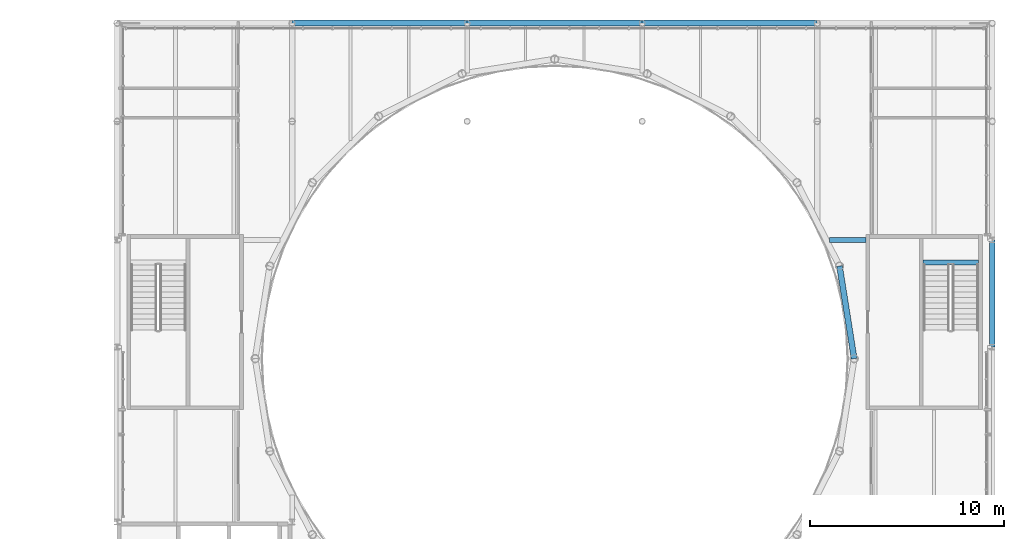
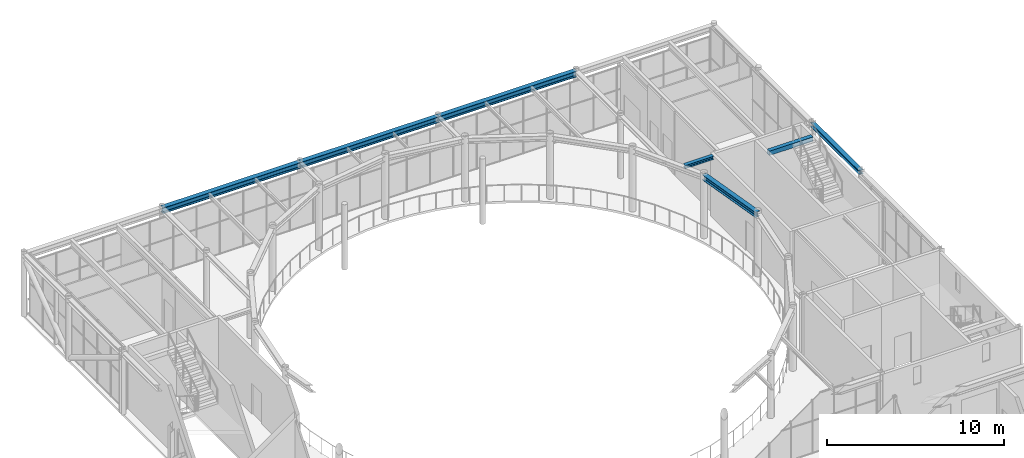
# One storey, part 42 of 70: 7 beams.
"""IFC4 building model written with IfcOpenShell, lengths in metres."""

import ifcopenshell
import ifcopenshell.guid

model = None  # the IFC model being written
_history = None  # IfcOwnerHistory: only IFC2X3 demands one
_inside = {}  # id of a spatial element -> (the spatial element, [elements in it])
_under = {}  # id of a project, library or spatial element -> (it, [spatial elements below it])
_declared = {}  # id of a project -> (the project, [libraries it declares])
_typed = {}  # id of a type object -> (the type object, [elements of that type])
_made_of = {}  # id of a material, layer set ... -> (it, [elements and type objects made of it])


def new_model(schema):
    """Start an empty IFC model of exactly this schema.

    Asked for "IFC4X3", IfcOpenShell would pick the latest addendum, in which some entities
    have other attributes; the version numbers below select the first issue.
    IFC2X3 requires an IfcOwnerHistory on every rooted entity: one is made here for all.
    """
    global model, _history
    if schema == "IFC4X3":
        model = ifcopenshell.file(schema_version=(4, 3, 0, 0))
    else:
        model = ifcopenshell.file(schema=schema)
    _inside.clear()
    _under.clear()
    _declared.clear()
    _typed.clear()
    _made_of.clear()
    _history = None
    if model.schema == "IFC2X3":
        org = make("IfcOrganization", Name="unknown")
        user = make(
            "IfcPersonAndOrganization",
            ThePerson=make("IfcPerson", FamilyName="unknown"),
            TheOrganization=org,
        )
        app = make(
            "IfcApplication",
            ApplicationDeveloper=org,
            Version="unknown",
            ApplicationFullName="unknown",
            ApplicationIdentifier="unknown",
        )
        _history = make(
            "IfcOwnerHistory",
            OwningUser=user,
            OwningApplication=app,
            ChangeAction="ADDED",
            CreationDate=0,
        )
    return model


def make(cls, **values):
    """One entity of the class cls with the attributes given. An attribute that is None is left unset."""
    return model.create_entity(
        cls, **{name: value for name, value in values.items() if value is not None}
    )


def rooted(cls, **values):
    """An entity with a GlobalId (a new one), such as an element, a storey or a relation."""
    return make(cls, GlobalId=ifcopenshell.guid.new(), OwnerHistory=_history, **values)


def si_unit(unit_type, name, prefix=None):
    """IfcSIUnit, for example si_unit("LENGTHUNIT", "METRE", prefix="MILLI")."""
    return make("IfcSIUnit", UnitType=unit_type, Prefix=prefix, Name=name)


def assignment(units):
    """IfcUnitAssignment: the units of a project."""
    return None if units is None else make("IfcUnitAssignment", Units=units)


def point(xyz):
    """IfcCartesianPoint."""
    return None if xyz is None else make("IfcCartesianPoint", Coordinates=xyz)


def direction(xyz):
    """IfcDirection."""
    return None if xyz is None else make("IfcDirection", DirectionRatios=xyz)


def frame(location, z_axis=None, x_axis=None):
    """IfcAxis2Placement3D, a coordinate frame: its origin and axes. An axis left out is left unset."""
    return make(
        "IfcAxis2Placement3D",
        Location=point(location),
        Axis=direction(z_axis),
        RefDirection=direction(x_axis),
    )


def frame_2d(location, x_axis=None):
    """IfcAxis2Placement2D, a coordinate frame in the plane: its origin and x axis."""
    return make(
        "IfcAxis2Placement2D", Location=point(location), RefDirection=direction(x_axis)
    )


def origin():
    """The frame at (0, 0, 0) with its axes left unset."""
    return frame((0.0, 0.0, 0.0))


def origin_2d():
    """The frame at (0, 0) in the plane with its x axis left unset."""
    return frame_2d((0.0, 0.0))


def place(relative_to, where):
    """IfcLocalPlacement: puts the frame where relative to a parent placement (None: the world)."""
    return make(
        "IfcLocalPlacement", PlacementRelTo=relative_to, RelativePlacement=where
    )


def context(
    kind, dimensions, precision=None, world=None, true_north=None, identifier=None
):
    """IfcGeometricRepresentationContext, for example the 3D "Model" context."""
    return make(
        "IfcGeometricRepresentationContext",
        ContextIdentifier=identifier,
        ContextType=kind,
        CoordinateSpaceDimension=dimensions,
        Precision=precision,
        WorldCoordinateSystem=world,
        TrueNorth=true_north,
    )


def subcontext(parent, identifier, kind, view, scale=None):
    """IfcGeometricRepresentationSubContext, for example "Body" below "Model"."""
    return make(
        "IfcGeometricRepresentationSubContext",
        ContextIdentifier=identifier,
        ContextType=kind,
        ParentContext=parent,
        TargetScale=scale,
        TargetView=view,
    )


def project(units=None, contexts=None):
    """IfcProject with its units and contexts."""
    return rooted(
        "IfcProject",
        Name="project",
        RepresentationContexts=contexts,
        UnitsInContext=assignment(units),
    )


def spatial(cls, under=None, at=None, **own):
    """A site, building, storey or space (cls), placed at a placement, below another one or the project."""
    s = rooted(cls, ObjectPlacement=at, **own)
    if under is not None:
        _under.setdefault(under.id(), (under, []))[1].append(s)
    return s


def profile(cls, at=None, kind="AREA", **sizes):
    """A parametric profile (cls). Its sizes go by their IFC names, for example OverallWidth=200.0."""
    return make(cls, ProfileType=kind, Position=at, **sizes)


def rectangle(**sizes):
    """IfcRectangleProfileDef."""
    return profile("IfcRectangleProfileDef", **sizes)


def i_section(**sizes):
    """IfcIShapeProfileDef."""
    return profile("IfcIShapeProfileDef", **sizes)


def extrude(swept, where, along, depth):
    """IfcExtrudedAreaSolid: the profile swept, set in the frame where, extruded along a direction by depth."""
    return make(
        "IfcExtrudedAreaSolid",
        SweptArea=swept,
        Position=where,
        ExtrudedDirection=direction(along),
        Depth=depth,
    )


def shape(context_of_items, identifier, shape_type, items):
    """IfcShapeRepresentation: the items that make up one representation, for example the "Body"."""
    return make(
        "IfcShapeRepresentation",
        ContextOfItems=context_of_items,
        RepresentationIdentifier=identifier,
        RepresentationType=shape_type,
        Items=items,
    )


def material(Name=None, Category=None):
    """IfcMaterial."""
    return make("IfcMaterial", Name=Name, Category=Category)


def material_profile(
    of_material, cross_section, Name=None, Category=None, Priority=None
):
    """IfcMaterialProfile: a cross section and its material."""
    return make(
        "IfcMaterialProfile",
        Name=Name,
        Material=of_material,
        Profile=cross_section,
        Priority=Priority,
        Category=Category,
    )


def profile_set(profiles, Name=None, composite=None):
    """IfcMaterialProfileSet."""
    return make(
        "IfcMaterialProfileSet",
        Name=Name,
        MaterialProfiles=profiles,
        CompositeProfile=composite,
    )


def made_of(thing, what):
    """Note that an element or type object is made of a material, layer set ...; save() writes the relation."""
    if what is not None:
        _made_of.setdefault(what.id(), (what, []))[1].append(thing)
    return thing


def type_object(cls, material=None, **own):
    """A type object (cls), such as IfcWallType, which elements share."""
    return made_of(rooted(cls, **own), material)


def element(
    cls,
    number,
    at=None,
    inside=None,
    cuts=None,
    type_object=None,
    material=None,
    context=None,
    identifier="Body",
    shape_type=None,
    held_by="IfcProductDefinitionShape",
    body=None,
    shapes=None,
    **own,
):
    """One element of the class cls, such as IfcWall. Its Tag is "e" and its number.

    at: its placement. inside: the storey or other place that contains it. cuts: it is an
    opening in that element (IfcRelVoidsElement). A single representation is given by context,
    identifier, shape_type and body (its items); several are given by shapes. held_by: the class
    of the entity that holds the representations. save() writes the other relations.
    """
    e = rooted(cls, Tag="e%d" % number, ObjectPlacement=at, **own)
    if body is not None:
        shapes = [shape(context, identifier, shape_type, body)]
    if shapes is not None:
        e.Representation = make(held_by, Representations=shapes)
    if inside is not None:
        _inside.setdefault(inside.id(), (inside, []))[1].append(e)
    if cuts is not None:
        rooted(
            "IfcRelVoidsElement", RelatingBuildingElement=cuts, RelatedOpeningElement=e
        )
    if type_object is not None:
        _typed.setdefault(type_object.id(), (type_object, []))[1].append(e)
    return made_of(e, material)


def aggregate(whole, parts):
    """IfcRelAggregates: a whole, such as a stair, and the parts it consists of."""
    return rooted("IfcRelAggregates", RelatingObject=whole, RelatedObjects=parts)


def save(model, path):
    """Write the relations noted so far, then the file.

    IfcRelAggregates (storeys below a building ...), IfcRelContainedInSpatialStructure (elements
    in a storey), IfcRelDefinesByType, IfcRelAssociatesMaterial and IfcRelDeclares: one each for
    every whole, place, type object, material and project.
    """
    for whole, parts in _under.values():
        aggregate(whole, parts)
    for where, things in _inside.values():
        rooted(
            "IfcRelContainedInSpatialStructure",
            RelatedElements=things,
            RelatingStructure=where,
        )
    for kind, things in _typed.values():
        rooted("IfcRelDefinesByType", RelatedObjects=things, RelatingType=kind)
    for what, things in _made_of.values():
        rooted("IfcRelAssociatesMaterial", RelatedObjects=things, RelatingMaterial=what)
    for by, libraries in _declared.values():
        rooted("IfcRelDeclares", RelatingContext=by, RelatedDefinitions=libraries)
    model.write(path)


model = new_model("IFC4")

# Units and contexts
model_context = context("Model", 3, precision=1e-05, world=origin(), true_north=direction((0.0, 1.0)))
body_context = subcontext(model_context, "Body", "Model", "MODEL_VIEW")
ifc_project = project(units=[si_unit("LENGTHUNIT", "METRE"), si_unit("AREAUNIT", "SQUARE_METRE"), si_unit("VOLUMEUNIT", "CUBIC_METRE"), si_unit("PLANEANGLEUNIT", "RADIAN"), si_unit("MASSUNIT", "GRAM", prefix="KILO")], contexts=[model_context])

# Site, building, storey
site_placement = place(None, origin())
site = spatial("IfcSite", under=ifc_project, at=site_placement, CompositionType="ELEMENT")
building_placement = place(site_placement, origin())
building = spatial("IfcBuilding", under=site, at=building_placement, Name="Kallimachos Central Library", CompositionType="ELEMENT")
storey_placement = place(building_placement, frame((0.0, 0.0, 18.89990234375)))
storey = spatial("IfcBuildingStorey", under=building, at=storey_placement, Name="L04", CompositionType="ELEMENT", Elevation=18.89990234375)

# Beams
ifc_material_1 = material(Name="Steel S355J2", Category="steel")
ifc_material_profile_1 = material_profile(ifc_material_1, i_section(OverallWidth=0.239990234375, OverallDepth=0.22998046875, WebThickness=0.007568359375, FlangeThickness=0.011962890625, FilletRadius=0.02099609375, at=origin_2d()), Name="HEA 240")
ifc_profile_set_1 = profile_set([ifc_material_profile_1], Name="Steel S355J2")
beam_type_1 = type_object("IfcBeamType", Name="HEA 240 beam", PredefinedType="BEAM", material=ifc_profile_set_1)
beam_1_placement = place(storey_placement, frame((102.13134765625, 110.5, 4.235107421875), z_axis=(1.0, 0.0, 0.0), x_axis=(0.0, 1.0, 0.0)))
element("IfcBeam", 1, at=beam_1_placement, inside=storey, type_object=beam_type_1, Name="V1-BEM-L04-043", PredefinedType="BEAM", context=body_context, shape_type="SweptSolid", body=[
    extrude(i_section(OverallWidth=0.239990234375, OverallDepth=0.22998046875, WebThickness=0.007568359375, FlangeThickness=0.011962890625, FilletRadius=0.02099609375, at=origin_2d()), origin(), (0.0, 0.0, 1.0), 1.86376953125),
])
ifc_material_2 = material(Name="Steel S355J2", Category="steel")
ifc_material_profile_2 = material_profile(ifc_material_2, i_section(OverallWidth=0.280029296875, OverallDepth=0.27001953125, WebThickness=0.008056640625, FlangeThickness=0.012939453125, FilletRadius=0.02392578125, at=origin_2d()), Name="HEA 280")
ifc_profile_set_2 = profile_set([ifc_material_profile_2], Name="Steel S355J2")
beam_type_2 = type_object("IfcBeamType", Name="HEA 280 beam", PredefinedType="BEAM", material=ifc_profile_set_2)
beam_2_placement = place(storey_placement, frame((110.5, 105.0, 4.215087890625), z_axis=(0.0, 1.0, 0.0), x_axis=(-1.0, 0.0, 0.0)))
element("IfcBeam", 2, at=beam_2_placement, inside=storey, type_object=beam_type_2, Name="V1-BEM-L04-036", PredefinedType="BEAM", context=body_context, shape_type="SweptSolid", body=[
    extrude(i_section(OverallWidth=0.280029296875, OverallDepth=0.27001953125, WebThickness=0.008056640625, FlangeThickness=0.012939453125, FilletRadius=0.02392578125, at=origin_2d()), origin(), (0.0, 0.0, 1.0), 5.5),
])
ifc_material_3 = material(Name="Steel S355J2", Category="steel")
ifc_material_profile_3 = material_profile(ifc_material_3, i_section(OverallWidth=0.300048828125, OverallDepth=0.360107421875, WebThickness=0.012451171875, FlangeThickness=0.0224609375, FilletRadius=0.027099609375, at=origin_2d()), Name="HEB 360")
ifc_profile_set_3 = profile_set([ifc_material_profile_3], Name="Steel S355J2")
beam_type_3 = type_object("IfcBeamType", Name="HEB 360 beam", PredefinedType="BEAM", material=ifc_profile_set_3)
beam_3_placement = place(storey_placement, frame((103.39990234375, 104.39990234375, 4.170166015625), z_axis=(-0.15641529171, 0.987691377162, 0.0), x_axis=(-0.987691377162, -0.15641529171, 0.0)))
element("IfcBeam", 3, at=beam_3_placement, inside=storey, type_object=beam_type_3, Name="V1-BEM-L04-001", PredefinedType="BEAM", context=body_context, shape_type="SweptSolid", body=[
    extrude(i_section(OverallWidth=0.300048828125, OverallDepth=0.360107421875, WebThickness=0.012451171875, FlangeThickness=0.0224609375, FilletRadius=0.027099609375, at=origin_2d()), origin(), (0.0, 0.0, 1.0), 4.818359375),
])
ifc_material_4 = material(Name="Steel S355J2", Category="steel")
ifc_material_profile_4 = material_profile(ifc_material_4, i_section(OverallWidth=0.300048828125, OverallDepth=0.39990234375, WebThickness=0.013427734375, FlangeThickness=0.02392578125, FilletRadius=0.027099609375, at=origin_2d()), Name="HEB 400")
ifc_profile_set_4 = profile_set([ifc_material_profile_4], Name="Steel S355J2")
beam_type_4 = type_object("IfcBeamType", Name="HEB 400 beam", PredefinedType="BEAM", material=ifc_profile_set_4)
for number, where, z_axis, x_axis, name in (
    (4, (74.5, 121.64990234375, 4.150146484375), (1.0, 0.0, 0.0), (0.0, 1.0, 0.0), "V1-BEM-L04-045"),
    (5, (83.5, 121.64990234375, 4.150146484375), (1.0, 0.0, 0.0), (0.0, 1.0, 0.0), "V1-BEM-L04-046"),
    (6, (92.5, 121.64990234375, 4.150146484375), (1.0, 0.0, 0.0), (0.0, 1.0, 0.0), "V1-BEM-L04-047"),
):
    element("IfcBeam", number, at=place(storey_placement, frame(where, z_axis=z_axis, x_axis=x_axis)), inside=storey, type_object=beam_type_4, Name=name, PredefinedType="BEAM", context=body_context, shape_type="SweptSolid", body=[
        extrude(i_section(OverallWidth=0.300048828125, OverallDepth=0.39990234375, WebThickness=0.013427734375, FlangeThickness=0.02392578125, FilletRadius=0.027099609375, at=origin_2d()), origin(), (0.0, 0.0, 1.0), 9.0),
    ])
ifc_material_5 = material(Name="Concrete C30/37", Category="concrete")
ifc_material_profile_5 = material_profile(ifc_material_5, rectangle(XDim=0.260009765625, YDim=0.300048828125, at=origin_2d()), Name="RC stair trimmer beam 260 x 300")
ifc_profile_set_5 = profile_set([ifc_material_profile_5], Name="Concrete C30/37")
beam_type_5 = type_object("IfcBeamType", Name="RC stair trimmer beam 260 x 300", PredefinedType="BEAM", material=ifc_profile_set_5)
beam_4_placement = place(storey_placement, frame((106.949951171875, 109.35107421875, 4.2001953125), z_axis=(1.0, 0.0, 0.0), x_axis=(0.0, 1.0, 0.0)))
element("IfcBeam", 7, at=beam_4_placement, inside=storey, type_object=beam_type_5, Name="Stair trimmer beam ST4 L04", PredefinedType="BEAM", context=body_context, shape_type="SweptSolid", body=[
    extrude(rectangle(XDim=0.260009765625, YDim=0.300048828125, at=origin_2d()), origin(), (0.0, 0.0, 1.0), 2.85009765625),
])

save(model, "model.ifc")
